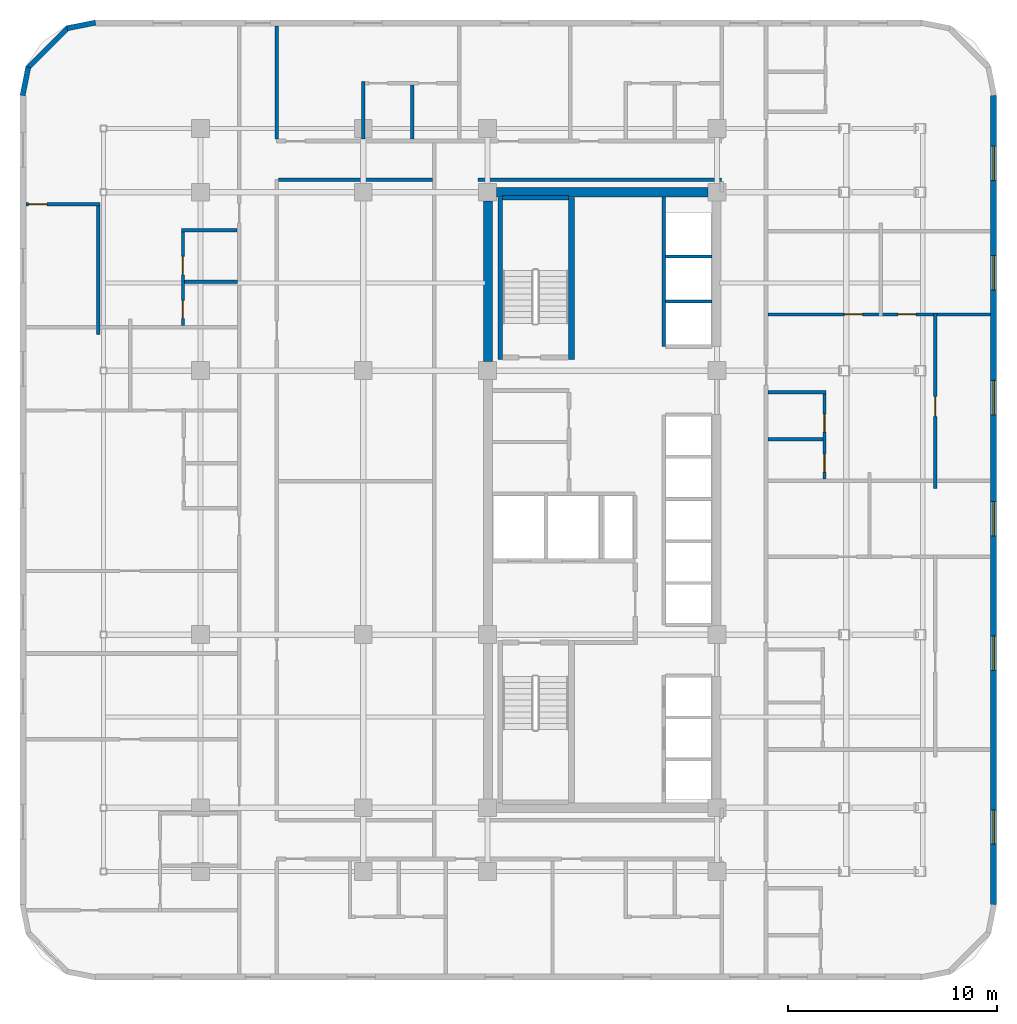
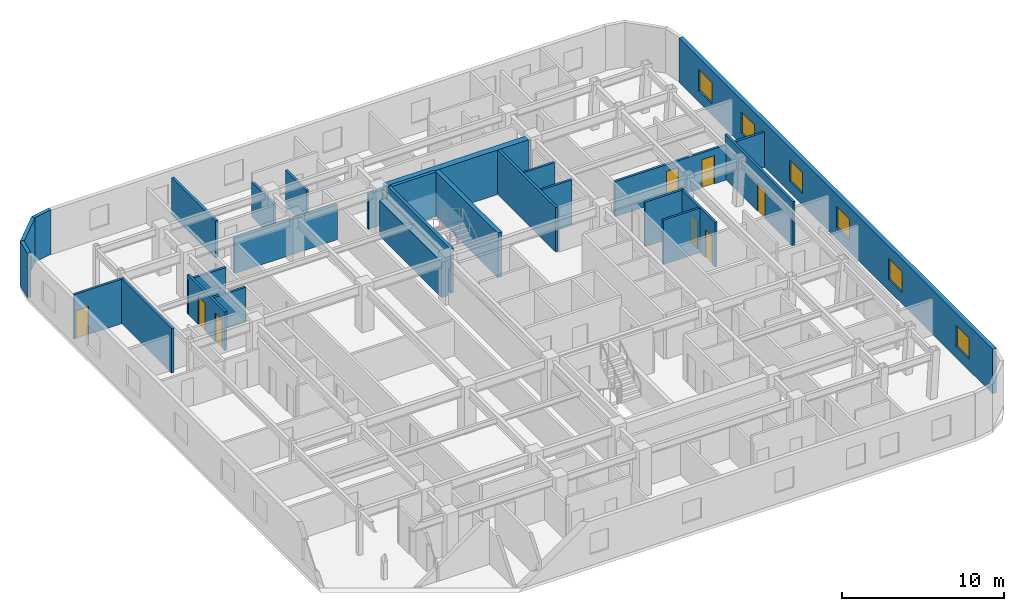
# One storey, part 9 of 12: 27 walls, 8 doors, 6 windows, 14 openings.
"""IFC4 building model written with IfcOpenShell, lengths in metres."""

from ifc_helpers import new_model, si_unit, direction, frame, frame_2d, origin, place, context, subcontext, project, spatial, rectangle, extrude, material, layer, layer_set, type_object, element, fill, save


model = new_model("IFC4")

# Units and contexts
model_context = context("Model", 3, precision=1e-05, world=origin(), true_north=direction((0.0, 1.0)))
body_context = subcontext(model_context, "Body", "Model", "MODEL_VIEW")
ifc_project = project(units=[si_unit("LENGTHUNIT", "METRE"), si_unit("AREAUNIT", "SQUARE_METRE"), si_unit("VOLUMEUNIT", "CUBIC_METRE"), si_unit("PLANEANGLEUNIT", "RADIAN"), si_unit("MASSUNIT", "GRAM", prefix="KILO")], contexts=[model_context])

# Site, building, storey
site_placement = place(None, origin())
site = spatial("IfcSite", under=ifc_project, at=site_placement, CompositionType="ELEMENT")
building_placement = place(site_placement, origin())
building = spatial("IfcBuilding", under=site, at=building_placement, Name="Ochreholt Gables", CompositionType="ELEMENT")
storey_placement = place(building_placement, frame((0.0, 0.0, 38.39990234375)))
storey = spatial("IfcBuildingStorey", under=building, at=storey_placement, Name="L09", CompositionType="ELEMENT", Elevation=38.39990234375)

# Walls
ifc_material_1 = material(Name="Concrete 60 MPa", Category="concrete")
ifc_layer_1 = layer(ifc_material_1, 0.449951171875, Name="Concrete 60 MPa")
ifc_layer_set_1 = layer_set([ifc_layer_1], Name="Concrete 60 MPa")
wall_type_1 = type_object("IfcWallType", Name="WALL-CSW-450", PredefinedType="SHEAR", material=ifc_layer_set_1)
wall_1_placement = place(storey_placement, frame((24.22509765625, 30.625, 0.0), z_axis=(0.0, 0.0, 1.0), x_axis=(0.0, 1.0, 0.0)))
element("IfcWall", 1, at=wall_1_placement, inside=storey, type_object=wall_type_1, Name="L09 Core West Shear Wall WN", PredefinedType="SHEAR", context=body_context, shape_type="SweptSolid", body=[
    extrude(rectangle(XDim=7.699951171875, YDim=0.449951171875, at=frame_2d((3.85009765625, 0.0))), origin(), (0.0, 0.0, 1.0), 2.6669921875),
])
wall_2_placement = place(storey_placement, frame((24.625, 38.75, 0.0), z_axis=(0.0, 0.0, 1.0), x_axis=(1.0, 0.0, 0.0)))
element("IfcWall", 2, at=wall_2_placement, inside=storey, type_object=wall_type_1, Name="L09 Core North Shear Wall", PredefinedType="SHEAR", context=body_context, shape_type="SweptSolid", body=[
    extrude(rectangle(XDim=10.14990234375, YDim=0.449951171875, at=frame_2d((5.074951171875, 0.0))), origin(), (0.0, 0.0, 1.0), 3.360107421875),
])

# Wall, openings, windows
ifc_material_2 = material(Name="Precast concrete 40 MPa", Category="concrete")
ifc_layer_2 = layer(ifc_material_2, 0.2900390625, Name="Precast concrete 40 MPa")
ifc_layer_set_2 = layer_set([ifc_layer_2], Name="Precast concrete 40 MPa")
wall_type_2 = type_object("IfcWallType", Name="WALL-EXT-290", PredefinedType="SOLIDWALL", material=ifc_layer_set_2)
wall_3_placement = place(storey_placement, frame((48.455078125, 4.6201171875, 0.0), z_axis=(0.0, 0.0, 1.0), x_axis=(0.0, 1.0, 0.0)))
wall_3 = element("IfcWall", 3, at=wall_3_placement, inside=storey, type_object=wall_type_2, Name="L09 East Exterior Wall", PredefinedType="SOLIDWALL", context=body_context, shape_type="SweptSolid", body=[
    extrude(rectangle(XDim=38.759765625, YDim=0.2900390625, at=frame_2d((19.3798828125, 0.0))), origin(), (0.0, 0.0, 1.0), 3.360107421875),
])
opening_1_placement = place(wall_3_placement, frame((2.885009765625, 0.0, 0.85009765625)))
opening_1 = element("IfcOpeningElement", 4, at=opening_1_placement, cuts=wall_3, Name="Opening WN-7", PredefinedType="OPENING", context=body_context, shape_type="SweptSolid", body=[
    extrude(rectangle(XDim=1.64990234375, YDim=1.60009765625, at=frame_2d((0.824951171875, 0.800048828125))), frame((0.0, 0.155029296875, 0.0), z_axis=(0.0, -1.0, 0.0), x_axis=(1.0, 0.0, 0.0)), (0.0, 0.0, 1.0), 0.31005859375),
])
opening_2_placement = place(wall_3_placement, frame((11.215087890625, 0.0, 0.85009765625)))
opening_2 = element("IfcOpeningElement", 5, at=opening_2_placement, cuts=wall_3, Name="Opening WN-7", PredefinedType="OPENING", context=body_context, shape_type="SweptSolid", body=[
    extrude(rectangle(XDim=1.64990234375, YDim=1.60009765625, at=frame_2d((0.824951171875, 0.800048828125))), frame((0.0, 0.155029296875, 0.0), z_axis=(0.0, -1.0, 0.0), x_axis=(1.0, 0.0, 0.0)), (0.0, 0.0, 1.0), 0.31005859375),
])
opening_3_placement = place(wall_3_placement, frame((17.655029296875, 0.0, 0.85009765625)))
opening_3 = element("IfcOpeningElement", 6, at=opening_3_placement, cuts=wall_3, Name="Opening WN-7", PredefinedType="OPENING", context=body_context, shape_type="SweptSolid", body=[
    extrude(rectangle(XDim=1.64990234375, YDim=1.60009765625, at=frame_2d((0.824951171875, 0.800048828125))), frame((0.0, 0.155029296875, 0.0), z_axis=(0.0, -1.0, 0.0), x_axis=(1.0, 0.0, 0.0)), (0.0, 0.0, 1.0), 0.31005859375),
])
opening_4_placement = place(wall_3_placement, frame((23.4599609375, 0.0, 0.85009765625)))
opening_4 = element("IfcOpeningElement", 7, at=opening_4_placement, cuts=wall_3, Name="Opening WN-7", PredefinedType="OPENING", context=body_context, shape_type="SweptSolid", body=[
    extrude(rectangle(XDim=1.64990234375, YDim=1.60009765625, at=frame_2d((0.824951171875, 0.800048828125))), frame((0.0, 0.155029296875, 0.0), z_axis=(0.0, -1.0, 0.0), x_axis=(1.0, 0.0, 0.0)), (0.0, 0.0, 1.0), 0.31005859375),
])
opening_5_placement = place(wall_3_placement, frame((29.43994140625, 0.0, 0.85009765625)))
opening_5 = element("IfcOpeningElement", 8, at=opening_5_placement, cuts=wall_3, Name="Opening WN-7", PredefinedType="OPENING", context=body_context, shape_type="SweptSolid", body=[
    extrude(rectangle(XDim=1.64990234375, YDim=1.60009765625, at=frame_2d((0.824951171875, 0.800048828125))), frame((0.0, 0.155029296875, 0.0), z_axis=(0.0, -1.0, 0.0), x_axis=(1.0, 0.0, 0.0)), (0.0, 0.0, 1.0), 0.31005859375),
])
opening_6_placement = place(wall_3_placement, frame((34.68505859375, 0.0, 0.85009765625)))
opening_6 = element("IfcOpeningElement", 9, at=opening_6_placement, cuts=wall_3, Name="Opening WN-7", PredefinedType="OPENING", context=body_context, shape_type="SweptSolid", body=[
    extrude(rectangle(XDim=1.64990234375, YDim=1.60009765625, at=frame_2d((0.824951171875, 0.800048828125))), frame((0.0, 0.155029296875, 0.0), z_axis=(0.0, -1.0, 0.0), x_axis=(1.0, 0.0, 0.0)), (0.0, 0.0, 1.0), 0.31005859375),
])
ifc_material_3 = material(Name="Triple-Glazed Thermally Broken Aluminium Window", Category="aluminium")
window_type = type_object("IfcWindowType", Name="WIN-RES-1650", PartitioningType="SINGLE_PANEL", PredefinedType="WINDOW", material=ifc_material_3)
window_1_placement = place(opening_1_placement, origin())
window_1 = element("IfcWindow", 10, at=window_1_placement, inside=storey, type_object=window_type, Name="L09 Window W-EXT-E-L09-1", OverallHeight=1.60009765625, OverallWidth=1.64990234375, PartitioningType="SINGLE_PANEL", PredefinedType="WINDOW", context=body_context, shape_type="SweptSolid", body=[
    extrude(rectangle(XDim=1.64990234375, YDim=1.60009765625, at=frame_2d((0.824951171875, 0.800048828125))), frame((0.0, 0.030029296875, 0.0), z_axis=(0.0, -1.0, 0.0), x_axis=(1.0, 0.0, 0.0)), (0.0, 0.0, 1.0), 0.06005859375),
])
fill(opening_1, window_1)
window_2_placement = place(opening_2_placement, origin())
window_2 = element("IfcWindow", 11, at=window_2_placement, inside=storey, type_object=window_type, Name="L09 Window W-EXT-E-L09-2", OverallHeight=1.60009765625, OverallWidth=1.64990234375, PartitioningType="SINGLE_PANEL", PredefinedType="WINDOW", context=body_context, shape_type="SweptSolid", body=[
    extrude(rectangle(XDim=1.64990234375, YDim=1.60009765625, at=frame_2d((0.824951171875, 0.800048828125))), frame((0.0, 0.030029296875, 0.0), z_axis=(0.0, -1.0, 0.0), x_axis=(1.0, 0.0, 0.0)), (0.0, 0.0, 1.0), 0.06005859375),
])
fill(opening_2, window_2)
window_3_placement = place(opening_3_placement, origin())
window_3 = element("IfcWindow", 12, at=window_3_placement, inside=storey, type_object=window_type, Name="L09 Window W-EXT-E-L09-3", OverallHeight=1.60009765625, OverallWidth=1.64990234375, PartitioningType="SINGLE_PANEL", PredefinedType="WINDOW", context=body_context, shape_type="SweptSolid", body=[
    extrude(rectangle(XDim=1.64990234375, YDim=1.60009765625, at=frame_2d((0.824951171875, 0.800048828125))), frame((0.0, 0.030029296875, 0.0), z_axis=(0.0, -1.0, 0.0), x_axis=(1.0, 0.0, 0.0)), (0.0, 0.0, 1.0), 0.06005859375),
])
fill(opening_3, window_3)
window_4_placement = place(opening_4_placement, origin())
window_4 = element("IfcWindow", 13, at=window_4_placement, inside=storey, type_object=window_type, Name="L09 Window W-EXT-E-L09-4", OverallHeight=1.60009765625, OverallWidth=1.64990234375, PartitioningType="SINGLE_PANEL", PredefinedType="WINDOW", context=body_context, shape_type="SweptSolid", body=[
    extrude(rectangle(XDim=1.64990234375, YDim=1.60009765625, at=frame_2d((0.824951171875, 0.800048828125))), frame((0.0, 0.030029296875, 0.0), z_axis=(0.0, -1.0, 0.0), x_axis=(1.0, 0.0, 0.0)), (0.0, 0.0, 1.0), 0.06005859375),
])
fill(opening_4, window_4)
window_5_placement = place(opening_5_placement, origin())
window_5 = element("IfcWindow", 14, at=window_5_placement, inside=storey, type_object=window_type, Name="L09 Window W-EXT-E-L09-5", OverallHeight=1.60009765625, OverallWidth=1.64990234375, PartitioningType="SINGLE_PANEL", PredefinedType="WINDOW", context=body_context, shape_type="SweptSolid", body=[
    extrude(rectangle(XDim=1.64990234375, YDim=1.60009765625, at=frame_2d((0.824951171875, 0.800048828125))), frame((0.0, 0.030029296875, 0.0), z_axis=(0.0, -1.0, 0.0), x_axis=(1.0, 0.0, 0.0)), (0.0, 0.0, 1.0), 0.06005859375),
])
fill(opening_5, window_5)
window_6_placement = place(opening_6_placement, origin())
window_6 = element("IfcWindow", 15, at=window_6_placement, inside=storey, type_object=window_type, Name="L09 Window W-EXT-E-L09-6", OverallHeight=1.60009765625, OverallWidth=1.64990234375, PartitioningType="SINGLE_PANEL", PredefinedType="WINDOW", context=body_context, shape_type="SweptSolid", body=[
    extrude(rectangle(XDim=1.64990234375, YDim=1.60009765625, at=frame_2d((0.824951171875, 0.800048828125))), frame((0.0, 0.030029296875, 0.0), z_axis=(0.0, -1.0, 0.0), x_axis=(1.0, 0.0, 0.0)), (0.0, 0.0, 1.0), 0.06005859375),
])
fill(opening_6, window_6)

# Walls
ifc_layer_3 = layer(ifc_material_2, 0.25, Name="Precast concrete 40 MPa")
ifc_layer_set_3 = layer_set([ifc_layer_3], Name="Precast concrete 40 MPa")
wall_type_3 = type_object("IfcWallType", Name="WALL-EXT-CNR", PredefinedType="SOLIDWALL", material=ifc_layer_set_3)
wall_4_placement = place(storey_placement, frame((5.41650390625, 46.875732421875, 0.0), z_axis=(0.0, 0.0, 1.0), x_axis=(-0.980809899341, -0.19496651342, 0.0)))
element("IfcWall", 16, at=wall_4_placement, inside=storey, type_object=wall_type_3, Name="L09 Rounded Corner Wall NW-1", PredefinedType="SOLIDWALL", context=body_context, shape_type="SweptSolid", body=[
    extrude(rectangle(XDim=1.388671875, YDim=0.25, at=frame_2d((0.6943359375, 0.0))), origin(), (0.0, 0.0, 1.0), 3.360107421875),
])
wall_5_placement = place(storey_placement, frame((4.10498046875, 46.632080078125, 0.0), z_axis=(0.0, 0.0, 1.0), x_axis=(-0.707106781187, -0.707106781187, 0.0)))
element("IfcWall", 17, at=wall_5_placement, inside=storey, type_object=wall_type_3, Name="L09 Rounded Corner Wall NW-2", PredefinedType="SOLIDWALL", context=body_context, shape_type="SweptSolid", body=[
    extrude(rectangle(XDim=2.7392578125, YDim=0.25, at=frame_2d((1.36962890625, 0.0))), origin(), (0.0, 0.0, 1.0), 3.360107421875),
])
wall_6_placement = place(storey_placement, frame((2.195068359375, 44.74560546875, 0.0), z_axis=(0.0, 0.0, 1.0), x_axis=(-0.19496651342, -0.980809899341, 0.0)))
element("IfcWall", 18, at=wall_6_placement, inside=storey, type_object=wall_type_3, Name="L09 Rounded Corner Wall NW-3", PredefinedType="SOLIDWALL", context=body_context, shape_type="SweptSolid", body=[
    extrude(rectangle(XDim=1.388671875, YDim=0.25, at=frame_2d((0.6943359375, 0.0))), origin(), (0.0, 0.0, 1.0), 3.360107421875),
])
ifc_material_4 = material(Name="Fire-Rated Gypsum Acoustic Partition", Category="gypsum")
ifc_layer_4 = layer(ifc_material_4, 0.179931640625, Name="Fire-Rated Gypsum Acoustic Partition")
ifc_layer_set_4 = layer_set([ifc_layer_4], Name="Fire-Rated Gypsum Acoustic Partition")
wall_type_4 = type_object("IfcWallType", Name="WALL-INT-CR180", PredefinedType="STANDARD", material=ifc_layer_set_4)
wall_7_placement = place(storey_placement, frame((23.75, 39.35009765625, 0.0), z_axis=(0.0, 0.0, 1.0), x_axis=(1.0, 0.0, 0.0)))
element("IfcWall", 19, at=wall_7_placement, inside=storey, type_object=wall_type_4, Name="L09 Interior Wall WI-C1N2-L09", PredefinedType="STANDARD", context=body_context, shape_type="SweptSolid", body=[
    extrude(rectangle(XDim=11.669921875, YDim=0.179931640625, at=frame_2d((5.8349609375, 0.0))), origin(), (0.0, 0.0, 1.0), 2.649169921875),
])
wall_8_placement = place(storey_placement, frame((14.18994140625, 39.35009765625, 0.0), z_axis=(0.0, 0.0, 1.0), x_axis=(1.0, 0.0, 0.0)))
element("IfcWall", 20, at=wall_8_placement, inside=storey, type_object=wall_type_4, Name="L09 Interior Wall WI-C1N2W-L09", PredefinedType="STANDARD", context=body_context, shape_type="SweptSolid", body=[
    extrude(rectangle(XDim=7.3701171875, YDim=0.179931640625, at=frame_2d((3.68505859375, 0.0))), origin(), (0.0, 0.0, 1.0), 2.649169921875),
])
ifc_material_5 = material(Name="Double-Stud Acoustic Demising Wall", Category="gypsum")
ifc_layer_5 = layer(ifc_material_5, 0.179931640625, Name="Double-Stud Acoustic Demising Wall")
ifc_layer_set_5 = layer_set([ifc_layer_5], Name="Double-Stud Acoustic Demising Wall")
wall_type_5 = type_object("IfcWallType", Name="WALL-INT-DM180", PredefinedType="PARTITIONING", material=ifc_layer_set_5)
wall_9_placement = place(storey_placement, frame((14.10009765625, 41.2900390625, 0.0), z_axis=(0.0, 0.0, 1.0), x_axis=(0.0, 1.0, 0.0)))
element("IfcWall", 21, at=wall_9_placement, inside=storey, type_object=wall_type_5, Name="L09 Interior Wall WI-C1WNI-L09", PredefinedType="PARTITIONING", context=body_context, shape_type="SweptSolid", body=[
    extrude(rectangle(XDim=5.419921875, YDim=0.179931640625, at=frame_2d((2.7099609375, 0.0))), origin(), (0.0, 0.0, 1.0), 2.80908203125),
])
ifc_material_6 = material(Name="Moisture-Resistant Plumbing Chase Wall", Category="gypsum")
ifc_layer_6 = layer(ifc_material_6, 0.159912109375, Name="Moisture-Resistant Plumbing Chase Wall")
ifc_layer_set_6 = layer_set([ifc_layer_6], Name="Moisture-Resistant Plumbing Chase Wall")
wall_type_6 = type_object("IfcWallType", Name="WALL-INT-PL160", PredefinedType="PLUMBINGWALL", material=ifc_layer_set_6)
wall_10_placement = place(storey_placement, frame((37.639892578125, 29.159912109375, 0.0), z_axis=(0.0, 0.0, 1.0), x_axis=(1.0, 0.0, 0.0)))
element("IfcWall", 22, at=wall_10_placement, inside=storey, type_object=wall_type_6, Name="L09 Interior Wall WU-L09E3-FYN", PredefinedType="PLUMBINGWALL", context=body_context, shape_type="SweptSolid", body=[
    extrude(rectangle(XDim=2.7880859375, YDim=0.159912109375, at=frame_2d((1.39404296875, 0.0))), origin(), (0.0, 0.0, 1.0), 3.360107421875),
])

# Wall, openings, doors
wall_11_placement = place(storey_placement, frame((40.347900390625, 25.010009765625, 0.0), z_axis=(0.0, 0.0, 1.0), x_axis=(0.0, 1.0, 0.0)))
wall_11 = element("IfcWall", 23, at=wall_11_placement, inside=storey, type_object=wall_type_6, Name="L09 Interior Wall WU-L09E3-WX", PredefinedType="PLUMBINGWALL", context=body_context, shape_type="SweptSolid", body=[
    extrude(rectangle(XDim=4.239990234375, YDim=0.159912109375, at=frame_2d((2.1201171875, 0.0))), origin(), (0.0, 0.0, 1.0), 3.360107421875),
])
opening_7_placement = place(wall_11_placement, frame((0.330078125, 0.0, 0.0)))
opening_7 = element("IfcOpeningElement", 24, at=opening_7_placement, cuts=wall_11, Name="Opening D-BT1", PredefinedType="OPENING", context=body_context, shape_type="SweptSolid", body=[
    extrude(rectangle(XDim=0.860107421875, YDim=2.1201171875, at=frame_2d((0.43017578125, 1.06005859375))), frame((0.0, 0.08984375, 0.0), z_axis=(0.0, -1.0, 0.0), x_axis=(1.0, 0.0, 0.0)), (0.0, 0.0, 1.0), 0.179931640625),
])
opening_8_placement = place(wall_11_placement, frame((2.239013671875, 0.0, 0.0)))
opening_8 = element("IfcOpeningElement", 25, at=opening_8_placement, cuts=wall_11, Name="Opening D-GN2", PredefinedType="OPENING", context=body_context, shape_type="SweptSolid", body=[
    extrude(rectangle(XDim=0.8798828125, YDim=2.1201171875, at=frame_2d((0.43994140625, 1.06005859375))), frame((0.0, 0.08984375, 0.0), z_axis=(0.0, -1.0, 0.0), x_axis=(1.0, 0.0, 0.0)), (0.0, 0.0, 1.0), 0.179931640625),
])
ifc_material_7 = material(Name="Engineered Oak Timber", Category="wood")
door_type_1 = type_object("IfcDoorType", Name="DR-INT-BTH860", OperationType="NOTDEFINED", PredefinedType="DOOR", material=ifc_material_7)
door_1_placement = place(opening_7_placement, origin())
door_1 = element("IfcDoor", 26, at=door_1_placement, inside=storey, type_object=door_type_1, Name="L09 Door D-U-L09E3-BTH", OperationType="SINGLE_SWING_LEFT", OverallHeight=2.1201171875, OverallWidth=0.860107421875, PredefinedType="DOOR", context=body_context, shape_type="SweptSolid", body=[
    extrude(rectangle(XDim=0.860107421875, YDim=2.1201171875, at=frame_2d((0.43017578125, 1.06005859375))), frame((0.0, 0.02490234375, 0.0), z_axis=(0.0, -1.0, 0.0), x_axis=(1.0, 0.0, 0.0)), (0.0, 0.0, 1.0), 0.050048828125),
])
fill(opening_7, door_1)
door_type_2 = type_object("IfcDoorType", Name="DR-INT-GEN880", OperationType="NOTDEFINED", PredefinedType="DOOR", material=ifc_material_7)
door_2_placement = place(opening_8_placement, origin())
door_2 = element("IfcDoor", 27, at=door_2_placement, inside=storey, type_object=door_type_2, Name="L09 Door D-U-L09E3-KIT", OperationType="SINGLE_SWING_RIGHT", OverallHeight=2.1201171875, OverallWidth=0.8798828125, PredefinedType="DOOR", context=body_context, shape_type="SweptSolid", body=[
    extrude(rectangle(XDim=0.8798828125, YDim=2.1201171875, at=frame_2d((0.43994140625, 1.06005859375))), frame((0.0, 0.02490234375, 0.0), z_axis=(0.0, -1.0, 0.0), x_axis=(1.0, 0.0, 0.0)), (0.0, 0.0, 1.0), 0.050048828125),
])
fill(opening_8, door_2)

# Walls
wall_12_placement = place(storey_placement, frame((37.639892578125, 26.9189453125, 0.0), z_axis=(0.0, 0.0, 1.0), x_axis=(1.0, 0.0, 0.0)))
element("IfcWall", 28, at=wall_12_placement, inside=storey, type_object=wall_type_6, Name="L09 Interior Wall WU-L09E3-WK", PredefinedType="PLUMBINGWALL", context=body_context, shape_type="SweptSolid", body=[
    extrude(rectangle(XDim=2.628173828125, YDim=0.159912109375, at=frame_2d((1.31396484375, 0.0))), origin(), (0.0, 0.0, 1.0), 3.360107421875),
])
wall_13_placement = place(storey_placement, frame((9.528076171875, 36.919921875, 0.0), z_axis=(0.0, 0.0, 1.0), x_axis=(1.0, 0.0, 0.0)))
element("IfcWall", 29, at=wall_13_placement, inside=storey, type_object=wall_type_6, Name="L09 Interior Wall WU-L09W3-WYN", PredefinedType="PLUMBINGWALL", context=body_context, shape_type="SweptSolid", body=[
    extrude(rectangle(XDim=2.681884765625, YDim=0.159912109375, at=frame_2d((1.3408203125, 0.0))), origin(), (0.0, 0.0, 1.0), 2.649169921875),
])

# Wall, openings, doors
wall_14_placement = place(storey_placement, frame((9.60791015625, 32.3701171875, 0.0), z_axis=(0.0, 0.0, 1.0), x_axis=(0.0, 1.0, 0.0)))
wall_14 = element("IfcWall", 30, at=wall_14_placement, inside=storey, type_object=wall_type_6, Name="L09 Interior Wall WU-L09W3-WX", PredefinedType="PLUMBINGWALL", context=body_context, shape_type="SweptSolid", body=[
    extrude(rectangle(XDim=4.639892578125, YDim=0.159912109375, at=frame_2d((2.31982421875, 0.0))), origin(), (0.0, 0.0, 1.0), 2.93212890625),
])
opening_9_placement = place(wall_14_placement, frame((0.330078125, 0.0, 0.0)))
opening_9 = element("IfcOpeningElement", 31, at=opening_9_placement, cuts=wall_14, Name="Opening D-BT1", PredefinedType="OPENING", context=body_context, shape_type="SweptSolid", body=[
    extrude(rectangle(XDim=0.860107421875, YDim=2.1201171875, at=frame_2d((0.43017578125, 1.06005859375))), frame((0.0, 0.08984375, 0.0), z_axis=(0.0, -1.0, 0.0), x_axis=(1.0, 0.0, 0.0)), (0.0, 0.0, 1.0), 0.179931640625),
])
opening_10_placement = place(wall_14_placement, frame((2.423095703125, 0.0, 0.0)))
opening_10 = element("IfcOpeningElement", 32, at=opening_10_placement, cuts=wall_14, Name="Opening D-GN2", PredefinedType="OPENING", context=body_context, shape_type="SweptSolid", body=[
    extrude(rectangle(XDim=0.8798828125, YDim=2.1201171875, at=frame_2d((0.43994140625, 1.06005859375))), frame((0.0, 0.08984375, 0.0), z_axis=(0.0, -1.0, 0.0), x_axis=(1.0, 0.0, 0.0)), (0.0, 0.0, 1.0), 0.179931640625),
])
door_3_placement = place(opening_9_placement, origin())
door_3 = element("IfcDoor", 33, at=door_3_placement, inside=storey, type_object=door_type_1, Name="L09 Door D-U-L09W3-BTH", OperationType="SINGLE_SWING_LEFT", OverallHeight=2.1201171875, OverallWidth=0.860107421875, PredefinedType="DOOR", context=body_context, shape_type="SweptSolid", body=[
    extrude(rectangle(XDim=0.860107421875, YDim=2.1201171875, at=frame_2d((0.43017578125, 1.06005859375))), frame((0.0, 0.02490234375, 0.0), z_axis=(0.0, -1.0, 0.0), x_axis=(1.0, 0.0, 0.0)), (0.0, 0.0, 1.0), 0.050048828125),
])
fill(opening_9, door_3)
door_4_placement = place(opening_10_placement, origin())
door_4 = element("IfcDoor", 34, at=door_4_placement, inside=storey, type_object=door_type_2, Name="L09 Door D-U-L09W3-KIT", OperationType="SINGLE_SWING_RIGHT", OverallHeight=2.1201171875, OverallWidth=0.8798828125, PredefinedType="DOOR", context=body_context, shape_type="SweptSolid", body=[
    extrude(rectangle(XDim=0.8798828125, YDim=2.1201171875, at=frame_2d((0.43994140625, 1.06005859375))), frame((0.0, 0.02490234375, 0.0), z_axis=(0.0, -1.0, 0.0), x_axis=(1.0, 0.0, 0.0)), (0.0, 0.0, 1.0), 0.050048828125),
])
fill(opening_10, door_4)

# Walls
wall_15_placement = place(storey_placement, frame((9.68798828125, 34.462890625, 0.0), z_axis=(0.0, 0.0, 1.0), x_axis=(1.0, 0.0, 0.0)))
element("IfcWall", 35, at=wall_15_placement, inside=storey, type_object=wall_type_6, Name="L09 Interior Wall WU-L09W3-WM", PredefinedType="PLUMBINGWALL", context=body_context, shape_type="SweptSolid", body=[
    extrude(rectangle(XDim=2.52197265625, YDim=0.159912109375, at=frame_2d((1.260986328125, 0.0))), origin(), (0.0, 0.0, 1.0), 2.649169921875),
])
wall_16_placement = place(storey_placement, frame((18.251220703125, 41.2900390625, 0.0), z_axis=(0.0, 0.0, 1.0), x_axis=(0.0, 1.0, 0.0)))
element("IfcWall", 36, at=wall_16_placement, inside=storey, type_object=wall_type_6, Name="L09 Interior Wall WU-L09N1-FY", PredefinedType="PLUMBINGWALL", context=body_context, shape_type="SweptSolid", body=[
    extrude(rectangle(XDim=2.760009765625, YDim=0.159912109375, at=frame_2d((1.3798828125, 0.0))), origin(), (0.0, 0.0, 1.0), 2.649169921875),
])
wall_17_placement = place(storey_placement, frame((20.59130859375, 41.2900390625, 0.0), z_axis=(0.0, 0.0, 1.0), x_axis=(0.0, 1.0, 0.0)))
element("IfcWall", 37, at=wall_17_placement, inside=storey, type_object=wall_type_6, Name="L09 Interior Wall WU-L09N1-WK", PredefinedType="PLUMBINGWALL", context=body_context, shape_type="SweptSolid", body=[
    extrude(rectangle(XDim=2.599853515625, YDim=0.159912109375, at=frame_2d((1.2998046875, 0.0))), origin(), (0.0, 0.0, 1.0), 2.80908203125),
])

# Wall, openings, doors
ifc_material_8 = material(Name="Gypsum Acoustic Stud Partition", Category="gypsum")
ifc_layer_7 = layer(ifc_material_8, 0.159912109375, Name="Gypsum Acoustic Stud Partition")
ifc_layer_set_7 = layer_set([ifc_layer_7], Name="Gypsum Acoustic Stud Partition")
wall_type_7 = type_object("IfcWallType", Name="WALL-INT-PT160", PredefinedType="PARTITIONING", material=ifc_layer_set_7)
wall_18_placement = place(storey_placement, frame((37.639892578125, 32.889892578125, 0.0), z_axis=(0.0, 0.0, 1.0), x_axis=(1.0, 0.0, 0.0)))
wall_18 = element("IfcWall", 38, at=wall_18_placement, inside=storey, type_object=wall_type_7, Name="L09 Interior Wall WU-L09E3-MN", PredefinedType="PARTITIONING", context=body_context, shape_type="SweptSolid", body=[
    extrude(rectangle(XDim=10.670166015625, YDim=0.159912109375, at=frame_2d((5.3349609375, 0.0))), origin(), (0.0, 0.0, 1.0), 2.649169921875),
])
opening_11_placement = place(wall_18_placement, frame((3.66162109375, 0.0, 0.0)))
opening_11 = element("IfcOpeningElement", 39, at=opening_11_placement, cuts=wall_18, Name="Opening D-BD2", PredefinedType="OPENING", context=body_context, shape_type="SweptSolid", body=[
    extrude(rectangle(XDim=0.8798828125, YDim=2.139892578125, at=frame_2d((0.43994140625, 1.06982421875))), frame((0.0, 0.08984375, 0.0), z_axis=(0.0, -1.0, 0.0), x_axis=(1.0, 0.0, 0.0)), (0.0, 0.0, 1.0), 0.179931640625),
])
opening_12_placement = place(wall_18_placement, frame((6.222412109375, 0.0, 0.0)))
opening_12 = element("IfcOpeningElement", 40, at=opening_12_placement, cuts=wall_18, Name="Opening D-BD2", PredefinedType="OPENING", context=body_context, shape_type="SweptSolid", body=[
    extrude(rectangle(XDim=0.8798828125, YDim=2.139892578125, at=frame_2d((0.43994140625, 1.06982421875))), frame((0.0, 0.08984375, 0.0), z_axis=(0.0, -1.0, 0.0), x_axis=(1.0, 0.0, 0.0)), (0.0, 0.0, 1.0), 0.179931640625),
])
door_type_3 = type_object("IfcDoorType", Name="DR-INT-BED880", OperationType="NOTDEFINED", PredefinedType="DOOR", material=ifc_material_7)
door_5_placement = place(opening_11_placement, origin())
door_5 = element("IfcDoor", 41, at=door_5_placement, inside=storey, type_object=door_type_3, Name="L09 Door D-U-L09E3-BD1", OperationType="SINGLE_SWING_RIGHT", OverallHeight=2.139892578125, OverallWidth=0.8798828125, PredefinedType="DOOR", context=body_context, shape_type="SweptSolid", body=[
    extrude(rectangle(XDim=0.8798828125, YDim=2.139892578125, at=frame_2d((0.43994140625, 1.06982421875))), frame((0.0, 0.02490234375, 0.0), z_axis=(0.0, -1.0, 0.0), x_axis=(1.0, 0.0, 0.0)), (0.0, 0.0, 1.0), 0.050048828125),
])
fill(opening_11, door_5)
door_6_placement = place(opening_12_placement, origin())
door_6 = element("IfcDoor", 42, at=door_6_placement, inside=storey, type_object=door_type_3, Name="L09 Door D-U-L09E3-BD2", OperationType="SINGLE_SWING_LEFT", OverallHeight=2.139892578125, OverallWidth=0.8798828125, PredefinedType="DOOR", context=body_context, shape_type="SweptSolid", body=[
    extrude(rectangle(XDim=0.8798828125, YDim=2.139892578125, at=frame_2d((0.43994140625, 1.06982421875))), frame((0.0, 0.02490234375, 0.0), z_axis=(0.0, -1.0, 0.0), x_axis=(1.0, 0.0, 0.0)), (0.0, 0.0, 1.0), 0.050048828125),
])
fill(opening_12, door_6)

# Wall, opening, door
wall_19_placement = place(storey_placement, frame((45.64990234375, 24.56005859375, 0.0), z_axis=(0.0, 0.0, 1.0), x_axis=(0.0, 1.0, 0.0)))
wall_19 = element("IfcWall", 43, at=wall_19_placement, inside=storey, type_object=wall_type_7, Name="L09 Interior Wall WU-L09E3-DNV", PredefinedType="PARTITIONING", context=body_context, shape_type="SweptSolid", body=[
    extrude(rectangle(XDim=8.409912109375, YDim=0.159912109375, at=frame_2d((4.205078125, 0.0))), origin(), (0.0, 0.0, 1.0), 3.360107421875),
])
opening_13_placement = place(wall_19_placement, frame((3.445068359375, 0.0, 0.0)))
opening_13 = element("IfcOpeningElement", 44, at=opening_13_placement, cuts=wall_19, Name="Opening D-GN1", PredefinedType="OPENING", context=body_context, shape_type="SweptSolid", body=[
    extrude(rectangle(XDim=0.949951171875, YDim=2.14990234375, at=frame_2d((0.47509765625, 1.074951171875))), frame((0.0, 0.08984375, 0.0), z_axis=(0.0, -1.0, 0.0), x_axis=(1.0, 0.0, 0.0)), (0.0, 0.0, 1.0), 0.179931640625),
])
door_type_4 = type_object("IfcDoorType", Name="DR-INT-GEN950", OperationType="NOTDEFINED", PredefinedType="DOOR", material=ifc_material_7)
door_7_placement = place(opening_13_placement, origin())
door_7 = element("IfcDoor", 45, at=door_7_placement, inside=storey, type_object=door_type_4, Name="L09 Door D-U-L09E3-DIN", OperationType="SINGLE_SWING_LEFT", OverallHeight=2.14990234375, OverallWidth=0.949951171875, PredefinedType="DOOR", context=body_context, shape_type="SweptSolid", body=[
    extrude(rectangle(XDim=0.949951171875, YDim=2.14990234375, at=frame_2d((0.47509765625, 1.074951171875))), frame((0.0, 0.02490234375, 0.0), z_axis=(0.0, -1.0, 0.0), x_axis=(1.0, 0.0, 0.0)), (0.0, 0.0, 1.0), 0.050048828125),
])
fill(opening_13, door_7)

# Wall
wall_20_placement = place(storey_placement, frame((5.550048828125, 31.919921875, 0.0), z_axis=(0.0, 0.0, 1.0), x_axis=(0.0, 1.0, 0.0)))
element("IfcWall", 46, at=wall_20_placement, inside=storey, type_object=wall_type_7, Name="L09 Interior Wall WU-L09W3-STW", PredefinedType="PARTITIONING", context=body_context, shape_type="SweptSolid", body=[
    extrude(rectangle(XDim=6.25, YDim=0.159912109375, at=frame_2d((3.125, 0.0))), origin(), (0.0, 0.0, 1.0), 3.360107421875),
])

# Wall, opening, door
wall_21_placement = place(storey_placement, frame((2.090087890625, 38.169921875, 0.0), z_axis=(0.0, 0.0, 1.0), x_axis=(1.0, 0.0, 0.0)))
wall_21 = element("IfcWall", 47, at=wall_21_placement, inside=storey, type_object=wall_type_7, Name="L09 Interior Wall WU-L09W3-STN", PredefinedType="PARTITIONING", context=body_context, shape_type="SweptSolid", body=[
    extrude(rectangle(XDim=3.539794921875, YDim=0.159912109375, at=frame_2d((1.77001953125, 0.0))), origin(), (0.0, 0.0, 1.0), 3.360107421875),
])
opening_14_placement = place(wall_21_placement, frame((0.1201171875, 0.0, 0.0)))
opening_14 = element("IfcOpeningElement", 48, at=opening_14_placement, cuts=wall_21, Name="Opening D-GN2", PredefinedType="OPENING", context=body_context, shape_type="SweptSolid", body=[
    extrude(rectangle(XDim=0.8798828125, YDim=2.1201171875, at=frame_2d((0.43994140625, 1.06005859375))), frame((0.0, 0.08984375, 0.0), z_axis=(0.0, -1.0, 0.0), x_axis=(1.0, 0.0, 0.0)), (0.0, 0.0, 1.0), 0.179931640625),
])
door_8_placement = place(opening_14_placement, origin())
door_8 = element("IfcDoor", 49, at=door_8_placement, inside=storey, type_object=door_type_2, Name="L09 Door D-U-L09W3-STD", OperationType="SINGLE_SWING_LEFT", OverallHeight=2.1201171875, OverallWidth=0.8798828125, PredefinedType="DOOR", context=body_context, shape_type="SweptSolid", body=[
    extrude(rectangle(XDim=0.8798828125, YDim=2.1201171875, at=frame_2d((0.43994140625, 1.06005859375))), frame((0.0, 0.02490234375, 0.0), z_axis=(0.0, -1.0, 0.0), x_axis=(1.0, 0.0, 0.0)), (0.0, 0.0, 1.0), 0.050048828125),
])
fill(opening_14, door_8)

# Walls
ifc_material_9 = material(Name="Gypsum Shaftliner and Steel Stud", Category="steel")
ifc_layer_8 = layer(ifc_material_9, 0.14990234375, Name="Gypsum Shaftliner and Steel Stud")
ifc_layer_set_8 = layer_set([ifc_layer_8], Name="Gypsum Shaftliner and Steel Stud")
wall_type_8 = type_object("IfcWallType", Name="WALL-INT-SH150", PredefinedType="STANDARD", material=ifc_layer_set_8)
for number, where, z_axis, x_axis, name in (
    (50, (32.739990234375, 33.52001953125, 0.0), (0.0, 0.0, 1.0), (1.0, 0.0, 0.0), "L09 Interior Wall WI-LFM-D1-L09"),
    (51, (32.739990234375, 35.669921875, 0.0), (0.0, 0.0, 1.0), (1.0, 0.0, 0.0), "L09 Interior Wall WI-LFM-D2-L09"),
):
    element("IfcWall", number, at=place(storey_placement, frame(where, z_axis=z_axis, x_axis=x_axis)), inside=storey, type_object=wall_type_8, Name=name, PredefinedType="STANDARD", context=body_context, shape_type="SweptSolid", body=[
        extrude(rectangle(XDim=2.2099609375, YDim=0.14990234375, at=frame_2d((1.10498046875, 0.0))), origin(), (0.0, 0.0, 1.0), 3.360107421875),
    ])
ifc_layer_9 = layer(ifc_material_9, 0.179931640625, Name="Gypsum Shaftliner and Steel Stud")
ifc_layer_set_9 = layer_set([ifc_layer_9], Name="Gypsum Shaftliner and Steel Stud")
wall_type_9 = type_object("IfcWallType", Name="WALL-INT-SH180", PredefinedType="STANDARD", material=ifc_layer_set_9)
wall_22_placement = place(storey_placement, frame((32.64990234375, 31.35009765625, 0.0), z_axis=(0.0, 0.0, 1.0), x_axis=(0.0, 1.0, 0.0)))
element("IfcWall", 52, at=wall_22_placement, inside=storey, type_object=wall_type_9, Name="L09 Interior Wall WI-LFM-FR-L09", PredefinedType="STANDARD", context=body_context, shape_type="SweptSolid", body=[
    extrude(rectangle(XDim=7.1748046875, YDim=0.179931640625, at=frame_2d((3.58740234375, 0.0))), origin(), (0.0, 0.0, 1.0), 3.360107421875),
])
ifc_layer_10 = layer(ifc_material_1, 0.300048828125, Name="Concrete 60 MPa")
ifc_layer_set_10 = layer_set([ifc_layer_10], Name="Concrete 60 MPa")
wall_type_10 = type_object("IfcWallType", Name="WALL-SPN-300", PredefinedType="SHEAR", material=ifc_layer_set_10)
wall_23_placement = place(storey_placement, frame((28.22998046875, 30.739990234375, 0.0), z_axis=(0.0, 0.0, 1.0), x_axis=(0.0, 1.0, 0.0)))
element("IfcWall", 53, at=wall_23_placement, inside=storey, type_object=wall_type_10, Name="L09 Core North Spine Shear Wall", PredefinedType="SHEAR", context=body_context, shape_type="SweptSolid", body=[
    extrude(rectangle(XDim=7.760009765625, YDim=0.300048828125, at=frame_2d((3.8798828125, 0.0))), origin(), (0.0, 0.0, 1.0), 3.360107421875),
])
ifc_material_10 = material(Name="Concrete 50 MPa", Category="concrete")
ifc_layer_11 = layer(ifc_material_10, 0.219970703125, Name="Concrete 50 MPa")
ifc_layer_set_11 = layer_set([ifc_layer_11], Name="Concrete 50 MPa")
wall_type_11 = type_object("IfcWallType", Name="WALL-STW-220", PredefinedType="SHEAR", material=ifc_layer_set_11)
wall_24_placement = place(storey_placement, frame((24.81005859375, 30.739990234375, 0.0), z_axis=(0.0, 0.0, 1.0), x_axis=(0.0, 1.0, 0.0)))
element("IfcWall", 54, at=wall_24_placement, inside=storey, type_object=wall_type_11, Name="L09 Exit Stair 2 West Wall", PredefinedType="SHEAR", context=body_context, shape_type="SweptSolid", body=[
    extrude(rectangle(XDim=7.760009765625, YDim=0.219970703125, at=frame_2d((3.8798828125, 0.0))), origin(), (0.0, 0.0, 1.0), 3.360107421875),
])
wall_25_placement = place(storey_placement, frame((24.919921875, 38.489990234375, 0.0), z_axis=(0.0, 0.0, 1.0), x_axis=(1.0, 0.0, 0.0)))
element("IfcWall", 55, at=wall_25_placement, inside=storey, type_object=wall_type_11, Name="L09 Exit Stair 2 North Wall", PredefinedType="SHEAR", context=body_context, shape_type="SweptSolid", body=[
    extrude(rectangle(XDim=3.16015625, YDim=0.219970703125, at=frame_2d((1.580078125, 0.0))), origin(), (0.0, 0.0, 1.0), 3.360107421875),
])

save(model, "model.ifc")
